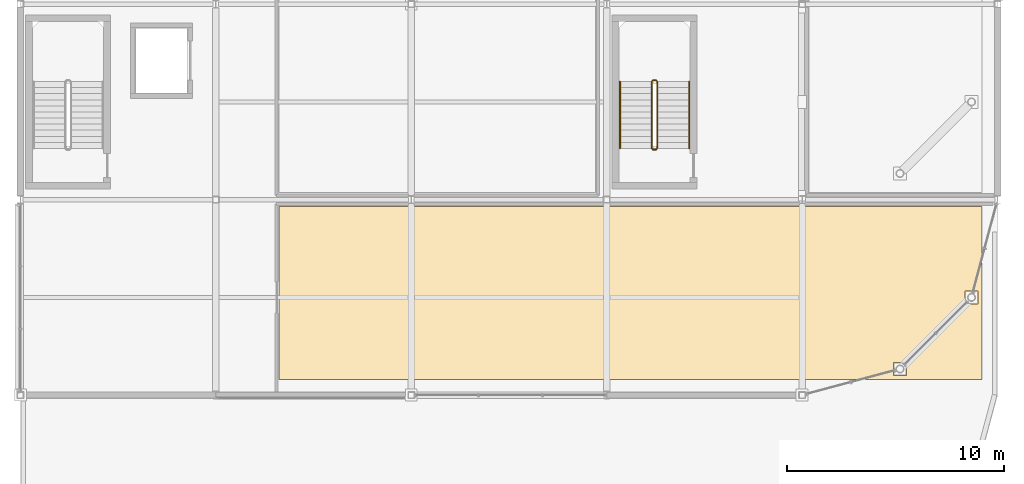
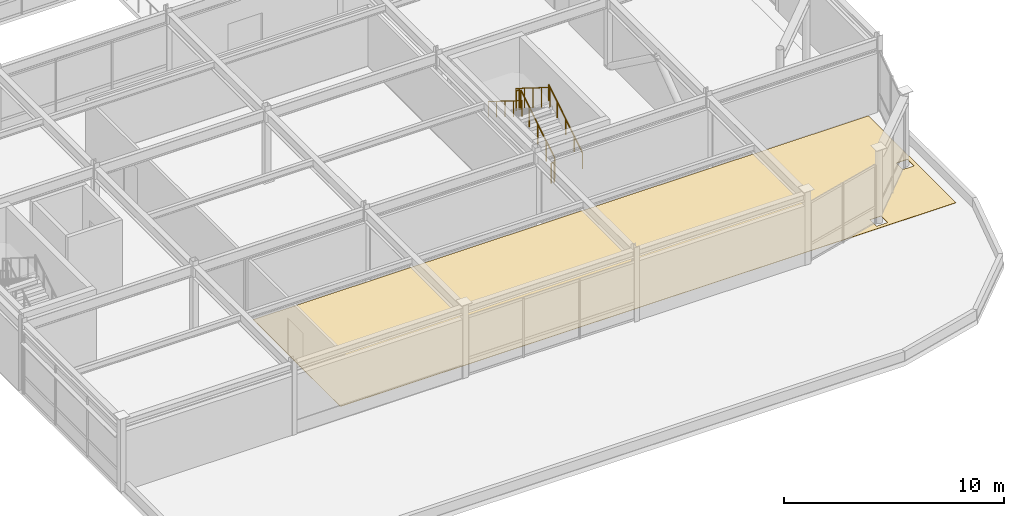
# One storey, part 103 of 108: 6 railings, 1 covering.
"""IFC4 building model written with IfcOpenShell, lengths in metres."""

from ifc_helpers import new_model, si_unit, direction, frame, origin, origin_2d, place, context, subcontext, project, spatial, polyline, circle, outline, extrude, material, layer, layer_set, type_object, element, save


model = new_model("IFC4")

# Units and contexts
model_context = context("Model", 3, precision=1e-05, world=origin(), true_north=direction((0.0, 1.0)))
body_context = subcontext(model_context, "Body", "Model", "MODEL_VIEW")
ifc_project = project(units=[si_unit("LENGTHUNIT", "METRE"), si_unit("AREAUNIT", "SQUARE_METRE"), si_unit("VOLUMEUNIT", "CUBIC_METRE"), si_unit("PLANEANGLEUNIT", "RADIAN"), si_unit("MASSUNIT", "GRAM", prefix="KILO")], contexts=[model_context])

# Site, building, storey
site_placement = place(None, origin())
site = spatial("IfcSite", under=ifc_project, at=site_placement, CompositionType="ELEMENT")
building_placement = place(site_placement, origin())
building = spatial("IfcBuilding", under=site, at=building_placement, Name="Suzunagisa Mobility Hub", CompositionType="ELEMENT")
storey_placement = place(building_placement, frame((0.0, 0.0, 9.300048828125)))
storey = spatial("IfcBuildingStorey", under=building, at=storey_placement, Name="L02", CompositionType="ELEMENT", Elevation=9.300048828125)

# Railings
ifc_material_1 = material(Name="Stainless Steel SUS304", Category="metal")
railing_type_1 = type_object("IfcRailingType", Name="Interior Well Guardrail IGR-01", PredefinedType="GUARDRAIL", material=ifc_material_1)
railing_1_placement = place(storey_placement, frame((164.330078125, 20.360107421875, 0.175048828125)))
element("IfcRailing", 1, at=railing_1_placement, inside=storey, type_object=railing_type_1, Name="L02 ST-10 stair guard 1", PredefinedType="GUARDRAIL", context=body_context, shape_type="SweptSolid", body=[
    extrude(circle(Radius=0.02392578125, at=origin_2d()), frame((0.0, 0.0, 1.09619140625), z_axis=(0.0, 0.848009633417, 0.529980812513), x_axis=(-1.0, 0.0, 0.0)), (0.0, 0.0, 1.0), 3.6318359375),
    extrude(circle(Radius=0.02099609375, at=origin_2d()), origin(), (0.0, 0.0, 1.0), 1.072021484375),
    extrude(circle(Radius=0.02099609375, at=origin_2d()), frame((0.0, 0.77001953125, 0.481201171875)), (0.0, 0.0, 1.0), 1.072021484375),
    extrude(circle(Radius=0.02099609375, at=origin_2d()), frame((0.0, 1.5400390625, 0.96240234375)), (0.0, 0.0, 1.0), 1.072021484375),
    extrude(circle(Radius=0.02099609375, at=origin_2d()), frame((0.0, 2.309814453125, 1.443603515625)), (0.0, 0.0, 1.0), 1.072021484375),
    extrude(circle(Radius=0.02099609375, at=origin_2d()), frame((0.0, 3.079833984375, 1.9248046875)), (0.0, 0.0, 1.0), 1.072021484375),
])
railing_2_placement = place(storey_placement, frame((164.280029296875, 23.489990234375, 2.099853515625)))
element("IfcRailing", 2, at=railing_2_placement, inside=storey, type_object=railing_type_1, Name="L02 ST-10 stair guard 2", PredefinedType="GUARDRAIL", context=body_context, shape_type="SweptSolid", body=[
    extrude(circle(Radius=0.02392578125, at=origin_2d()), frame((0.0, 0.0, 1.09619140625), z_axis=(-1.0, 0.0, 0.0), x_axis=(0.0, -1.0, 0.0)), (0.0, 0.0, 1.0), 0.159912109375),
    extrude(circle(Radius=0.02099609375, at=origin_2d()), origin(), (0.0, 0.0, 1.0), 1.072021484375),
    extrude(circle(Radius=0.02099609375, at=origin_2d()), frame((-0.159912109375, 0.0, 0.0)), (0.0, 0.0, 1.0), 1.072021484375),
])
railing_3_placement = place(storey_placement, frame((164.070068359375, 23.43994140625, 2.27490234375)))
element("IfcRailing", 3, at=railing_3_placement, inside=storey, type_object=railing_type_1, Name="L02 ST-10 stair guard 3", PredefinedType="GUARDRAIL", context=body_context, shape_type="SweptSolid", body=[
    extrude(circle(Radius=0.02392578125, at=origin_2d()), frame((0.0, 0.0, 1.09619140625), z_axis=(0.0, -0.847979421464, 0.530029150871), x_axis=(1.0, 0.0, 0.0)), (0.0, 0.0, 1.0), 3.632080078125),
    extrude(circle(Radius=0.02099609375, at=origin_2d()), origin(), (0.0, 0.0, 1.0), 1.072021484375),
    extrude(circle(Radius=0.02099609375, at=origin_2d()), frame((0.0, -0.77001953125, 0.481201171875)), (0.0, 0.0, 1.0), 1.072021484375),
    extrude(circle(Radius=0.02099609375, at=origin_2d()), frame((0.0, -1.5400390625, 0.96240234375)), (0.0, 0.0, 1.0), 1.072021484375),
    extrude(circle(Radius=0.02099609375, at=origin_2d()), frame((0.0, -2.309814453125, 1.44384765625)), (0.0, 0.0, 1.0), 1.072021484375),
    extrude(circle(Radius=0.02099609375, at=origin_2d()), frame((0.0, -3.079833984375, 1.925048828125)), (0.0, 0.0, 1.0), 1.072021484375),
])
railing_4_placement = place(storey_placement, frame((164.280029296875, 20.31005859375, 0.0)))
element("IfcRailing", 4, at=railing_4_placement, inside=storey, type_object=railing_type_1, Name="L02 ST-10 stair guard 4", PredefinedType="GUARDRAIL", context=body_context, shape_type="SweptSolid", body=[
    extrude(circle(Radius=0.02392578125, at=origin_2d()), frame((0.0, 0.0, 1.09619140625), z_axis=(-1.0, 0.0, 0.0), x_axis=(0.0, -1.0, 0.0)), (0.0, 0.0, 1.0), 0.159912109375),
    extrude(circle(Radius=0.02099609375, at=origin_2d()), origin(), (0.0, 0.0, 1.0), 1.072021484375),
    extrude(circle(Radius=0.02099609375, at=origin_2d()), frame((-0.159912109375, 0.0, 0.0)), (0.0, 0.0, 1.0), 1.072021484375),
])

# Covering
ifc_material_2 = material(Name="Polished Aggregate Terrazzo Finish")
ifc_layer = layer(ifc_material_2, 0.02001953125)
ifc_layer_set = layer_set([ifc_layer], Name="Polished Aggregate Terrazzo Finish")
covering_type = type_object("IfcCoveringType", Name="Polished Terrazzo Heavy-Traffic Flooring FLR-01", PredefinedType="FLOORING", material=ifc_layer_set)
covering_placement = place(storey_placement, origin())
element("IfcCovering", 5, at=covering_placement, inside=storey, type_object=covering_type, Name="L02 Transit Crew Rest and Briefing Lounge L02 Terrazzo Flooring", PredefinedType="FLOORING", context=body_context, shape_type="SweptSolid", body=[
    extrude(outline(polyline([(146.919921875, 17.679931640625), (179.280029296875, 17.679931640625), (179.280029296875, 9.719970703125), (146.919921875, 9.719970703125), (146.919921875, 17.679931640625)]), holes=[polyline([(175.7978515625, 10.503662109375), (175.2021484375, 10.503662109375), (175.2021484375, 9.907958984375), (175.7978515625, 9.907958984375), (175.7978515625, 10.503662109375)]), polyline([(179.092041015625, 13.2021484375), (179.092041015625, 13.7978515625), (178.496337890625, 13.7978515625), (178.496337890625, 13.2021484375), (179.092041015625, 13.2021484375)])]), origin(), (0.0, 0.0, 1.0), 0.02001953125),
])

# Railings
railing_type_2 = type_object("IfcRailingType", Name="Tubular Stainless Stair Handrail IHR-01", PredefinedType="HANDRAIL", material=ifc_material_1)
railing_5_placement = place(storey_placement, frame((165.7900390625, 20.360107421875, 0.175048828125)))
element("IfcRailing", 6, at=railing_5_placement, inside=storey, type_object=railing_type_2, Name="L02 ST-10 stair handrail 1", PredefinedType="HANDRAIL", context=body_context, shape_type="SweptSolid", body=[
    extrude(circle(Radius=0.02392578125, at=origin_2d()), frame((0.0, 0.0, 0.8759765625), z_axis=(0.0, 0.848009633417, 0.529980812513), x_axis=(-1.0, 0.0, 0.0)), (0.0, 0.0, 1.0), 3.6318359375),
    extrude(circle(Radius=0.02099609375, at=origin_2d()), origin(), (0.0, 0.0, 1.0), 0.851806640625),
    extrude(circle(Radius=0.02099609375, at=origin_2d()), frame((0.0, 0.77001953125, 0.481201171875)), (0.0, 0.0, 1.0), 0.851806640625),
    extrude(circle(Radius=0.02099609375, at=origin_2d()), frame((0.0, 1.5400390625, 0.96240234375)), (0.0, 0.0, 1.0), 0.851806640625),
    extrude(circle(Radius=0.02099609375, at=origin_2d()), frame((0.0, 2.309814453125, 1.443603515625)), (0.0, 0.0, 1.0), 0.851806640625),
    extrude(circle(Radius=0.02099609375, at=origin_2d()), frame((0.0, 3.079833984375, 1.9248046875)), (0.0, 0.0, 1.0), 0.851806640625),
])
railing_6_placement = place(storey_placement, frame((162.610107421875, 23.43994140625, 2.27490234375)))
element("IfcRailing", 7, at=railing_6_placement, inside=storey, type_object=railing_type_2, Name="L02 ST-10 stair handrail 2", PredefinedType="HANDRAIL", context=body_context, shape_type="SweptSolid", body=[
    extrude(circle(Radius=0.02392578125, at=origin_2d()), frame((0.0, 0.0, 0.8759765625), z_axis=(0.0, -0.847979421464, 0.530029150871), x_axis=(1.0, 0.0, 0.0)), (0.0, 0.0, 1.0), 3.632080078125),
    extrude(circle(Radius=0.02099609375, at=origin_2d()), origin(), (0.0, 0.0, 1.0), 0.851806640625),
    extrude(circle(Radius=0.02099609375, at=origin_2d()), frame((0.0, -0.77001953125, 0.481201171875)), (0.0, 0.0, 1.0), 0.851806640625),
    extrude(circle(Radius=0.02099609375, at=origin_2d()), frame((0.0, -1.5400390625, 0.96240234375)), (0.0, 0.0, 1.0), 0.851806640625),
    extrude(circle(Radius=0.02099609375, at=origin_2d()), frame((0.0, -2.309814453125, 1.44384765625)), (0.0, 0.0, 1.0), 0.851806640625),
    extrude(circle(Radius=0.02099609375, at=origin_2d()), frame((0.0, -3.079833984375, 1.925048828125)), (0.0, 0.0, 1.0), 0.851806640625),
])

save(model, "model.ifc")
